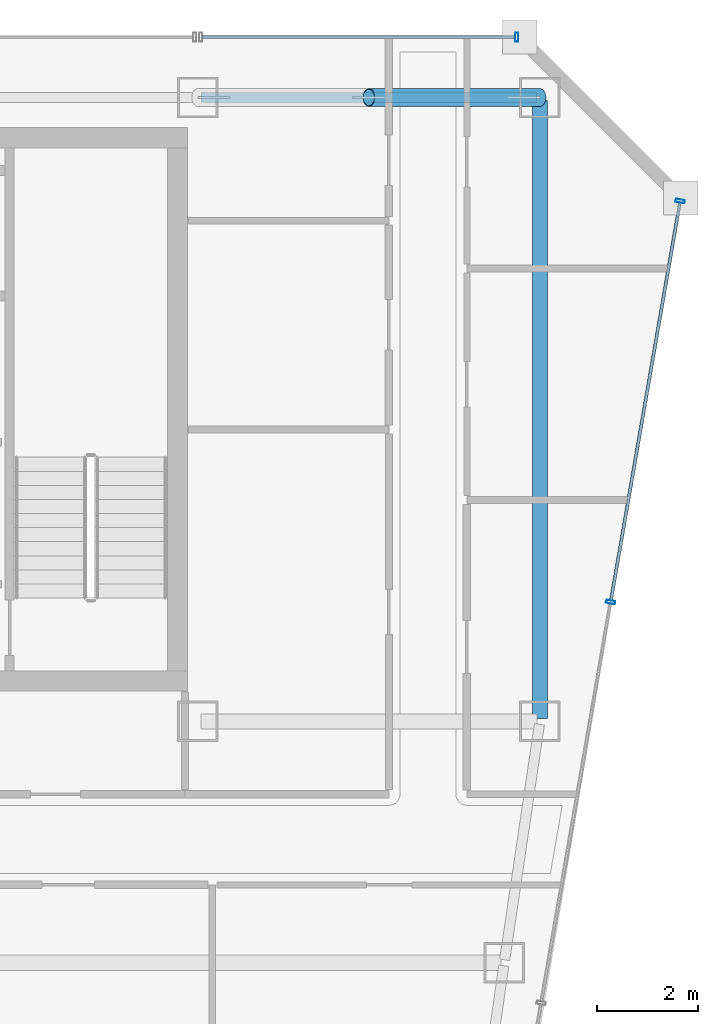
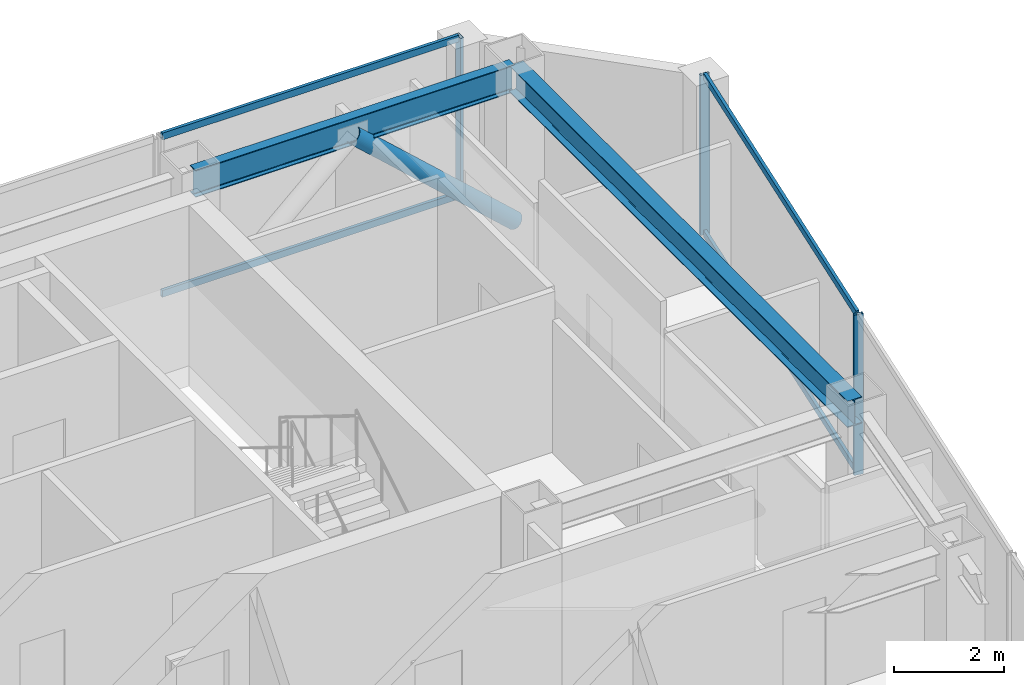
# One storey, part 21 of 31: 8 members, 2 beams, 2 elements without a shape of their own.
"""IFC4 building model written with IfcOpenShell, lengths in metres."""

from ifc_helpers import new_model, si_unit, direction, frame, origin, origin_2d, place, context, subcontext, project, spatial, hollow_rectangle, hollow_circle, i_section, extrude, material, material_profile, profile_set, type_object, element, aggregate, save


model = new_model("IFC4")

# Units and contexts
model_context = context("Model", 3, precision=1e-05, world=origin(), true_north=direction((0.0, 1.0)))
body_context = subcontext(model_context, "Body", "Model", "MODEL_VIEW")
ifc_project = project(units=[si_unit("LENGTHUNIT", "METRE"), si_unit("AREAUNIT", "SQUARE_METRE"), si_unit("VOLUMEUNIT", "CUBIC_METRE"), si_unit("PLANEANGLEUNIT", "RADIAN"), si_unit("MASSUNIT", "GRAM", prefix="KILO")], contexts=[model_context])

# Site, building, storey
site_placement = place(None, origin())
site = spatial("IfcSite", under=ifc_project, at=site_placement, CompositionType="ELEMENT")
building_placement = place(site_placement, origin())
building = spatial("IfcBuilding", under=site, at=building_placement, Name="Saevonmaru Cultural Tower", CompositionType="ELEMENT")
storey_placement = place(building_placement, frame((0.0, 0.0, 230.60009765625)))
storey = spatial("IfcBuildingStorey", under=building, at=storey_placement, Name="L53", CompositionType="ELEMENT", Elevation=230.60009765625)

# Beams
ifc_material_1 = material(Name="Steel SM355", Category="steel")
ifc_material_profile_1 = material_profile(ifc_material_1, i_section(OverallWidth=0.300048828125, OverallDepth=0.587890625, WebThickness=0.011962890625, FlangeThickness=0.02001953125, FilletRadius=0.02392578125, at=origin_2d()), Name="H-588x300x12x20")
ifc_profile_set_1 = profile_set([ifc_material_profile_1], Name="Steel SM355")
beam_type_1 = type_object("IfcBeamType", Name="BM-G-H588", PredefinedType="BEAM", material=ifc_profile_set_1)
beam_1_placement = place(storey_placement, frame((53.199951171875, 54.739990234375, 3.255859375), z_axis=(0.0, -1.0, 0.0), x_axis=(1.0, 0.0, 0.0)))
element("IfcBeam", 1, at=beam_1_placement, inside=storey, type_object=beam_type_1, Name="L53 Spine Transverse Girder E", PredefinedType="BEAM", context=body_context, shape_type="SweptSolid", body=[
    extrude(i_section(OverallWidth=0.300048828125, OverallDepth=0.587890625, WebThickness=0.011962890625, FlangeThickness=0.02001953125, FilletRadius=0.02392578125, at=origin_2d()), origin(), (0.0, 0.0, 1.0), 12.280029296875),
])
ifc_material_profile_2 = material_profile(ifc_material_1, i_section(OverallWidth=0.199951171875, OverallDepth=0.60009765625, WebThickness=0.010986328125, FlangeThickness=0.01708984375, FilletRadius=0.02197265625, at=origin_2d()), Name="H-600x200x11x17")
ifc_profile_set_2 = profile_set([ifc_material_profile_2], Name="Steel SM355")
beam_type_2 = type_object("IfcBeamType", Name="BM-SP-H600", PredefinedType="SPANDREL", material=ifc_profile_set_2)
beam_2_placement = place(storey_placement, frame((46.4599609375, 54.800048828125, 3.25), z_axis=(1.0, 0.0, 0.0), x_axis=(0.0, 1.0, 0.0)))
element("IfcBeam", 2, at=beam_2_placement, inside=storey, type_object=beam_type_2, Name="L53 North Spine Girder 5", PredefinedType="SPANDREL", context=body_context, shape_type="SweptSolid", body=[
    extrude(i_section(OverallWidth=0.199951171875, OverallDepth=0.60009765625, WebThickness=0.010986328125, FlangeThickness=0.01708984375, FilletRadius=0.02197265625, at=origin_2d()), origin(), (0.0, 0.0, 1.0), 6.679931640625),
])

# Member
ifc_material_profile_3 = material_profile(ifc_material_1, hollow_circle(Radius=0.177734375, WallThickness=0.01611328125, at=origin_2d()), Name="CHS-355.6x16")
ifc_profile_set_3 = profile_set([ifc_material_profile_3], Name="Steel SM355")
member_type_1 = type_object("IfcMemberType", Name="MB-PBR-CHS356", PredefinedType="BRACE", material=ifc_profile_set_3)
member_1_placement = place(storey_placement, frame((53.199951171875, 54.800048828125, 0.02001953125), z_axis=(-0.738962060105, 0.0, 0.673747039864), x_axis=(0.0, -1.0, 0.0)))
element("IfcMember", 3, at=member_1_placement, inside=storey, type_object=member_type_1, Name="L53 Perimeter Braced-Tube Diagonal EN2", PredefinedType="BRACE", context=body_context, shape_type="SweptSolid", body=[
    extrude(hollow_circle(Radius=0.177734375, WallThickness=0.01611328125, at=origin_2d()), origin(), (0.0, 0.0, 1.0), 4.600830078125),
])

# Curtain wall, members
ifc_material_2 = material(Name="Satin Bronze Anodised Aluminium", Category="aluminium")
curtain_wall_type = type_object("IfcCurtainWallType", Name="CW-SKY-GLZ", PredefinedType="NOTDEFINED", material=ifc_material_2)
curtain_wall_1_placement = place(storey_placement, origin())
curtain_wall_1 = element("IfcCurtainWall", 4, at=curtain_wall_1_placement, inside=storey, type_object=curtain_wall_type, Name="L53 Unitised Curtain Wall E8", PredefinedType="NOTDEFINED")
ifc_material_profile_4 = material_profile(ifc_material_2, hollow_rectangle(XDim=0.06494140625, YDim=0.179931640625, WallThickness=0.00390625, at=origin_2d()), Name="ALU-MULL-180x65x4")
ifc_profile_set_4 = profile_set([ifc_material_profile_4], Name="Satin Bronze Anodised Aluminium")
member_type_2 = type_object("IfcMemberType", Name="ML-CW-180x65", PredefinedType="MULLION", material=ifc_profile_set_4)
member_2_placement = place(storey_placement, frame((54.608154296875, 44.7705078125, 0.0), z_axis=(0.0, 0.0, 1.0), x_axis=(0.170790369887, 0.985307388359, 0.0)))
member_2 = element("IfcMember", 5, at=member_2_placement, type_object=member_type_2, Name="CW-TW-L53-E8 mullion 4", PredefinedType="MULLION", context=body_context, shape_type="SweptSolid", body=[
    extrude(hollow_rectangle(XDim=0.06494140625, YDim=0.179931640625, WallThickness=0.00390625, at=origin_2d()), origin(), (0.0, 0.0, 1.0), 3.5498046875),
])
member_3_placement = place(storey_placement, frame((55.98974609375, 52.740966796875, 0.0), z_axis=(0.0, 0.0, 1.0), x_axis=(0.170790369887, 0.985307388359, 0.0)))
member_3 = element("IfcMember", 6, at=member_3_placement, type_object=member_type_2, Name="CW-TW-L53-E8 mullion 5", PredefinedType="MULLION", context=body_context, shape_type="SweptSolid", body=[
    extrude(hollow_rectangle(XDim=0.06494140625, YDim=0.179931640625, WallThickness=0.00390625, at=origin_2d()), origin(), (0.0, 0.0, 1.0), 3.5498046875),
])

# Curtain wall, member
curtain_wall_2_placement = place(storey_placement, origin())
curtain_wall_2 = element("IfcCurtainWall", 7, at=curtain_wall_2_placement, inside=storey, type_object=curtain_wall_type, Name="L53 East Braced Bay Spandrel Curtain Wall E10A", PredefinedType="NOTDEFINED")
member_4_placement = place(storey_placement, frame((52.739990234375, 56.0, 0.0), z_axis=(0.0, 0.0, 1.0), x_axis=(-1.0, 0.0, 0.0)))
member_4 = element("IfcMember", 8, at=member_4_placement, type_object=member_type_2, Name="CW-TW-L53-E10A mullion 1", PredefinedType="MULLION", context=body_context, shape_type="SweptSolid", body=[
    extrude(hollow_rectangle(XDim=0.06494140625, YDim=0.179931640625, WallThickness=0.00390625, at=origin_2d()), origin(), (0.0, 0.0, 1.0), 3.5498046875),
])

# Member
ifc_material_profile_5 = material_profile(ifc_material_2, hollow_rectangle(XDim=0.06494140625, YDim=0.14990234375, WallThickness=0.00390625, at=origin_2d()), Name="ALU-TRAN-150x65x4")
ifc_profile_set_5 = profile_set([ifc_material_profile_5], Name="Satin Bronze Anodised Aluminium")
member_type_3 = type_object("IfcMemberType", Name="TR-CW-150x65", PredefinedType="USERDEFINED", material=ifc_profile_set_5)
member_5_placement = place(storey_placement, frame((54.61376953125, 44.802490234375, 0.032470703125), z_axis=(0.170774908542, 0.985310068259, 0.0), x_axis=(-0.985310068259, 0.170774908542, 0.0)))
member_5 = element("IfcMember", 9, at=member_5_placement, type_object=member_type_3, Name="CW-TW-L53-E8 transom 4.1", ObjectType="TRANSOM", PredefinedType="USERDEFINED", context=body_context, shape_type="SweptSolid", body=[
    extrude(hollow_rectangle(XDim=0.06494140625, YDim=0.14990234375, WallThickness=0.00390625, at=origin_2d()), origin(), (0.0, 0.0, 1.0), 8.0244140625),
])

member_6_placement = place(storey_placement, frame((54.61376953125, 44.802490234375, 3.517333984375), z_axis=(0.170774908542, 0.985310068259, 0.0), x_axis=(-0.985310068259, 0.170774908542, 0.0)))
member_6 = element("IfcMember", 10, at=member_6_placement, type_object=member_type_3, Name="CW-TW-L53-E8 transom 4.2", ObjectType="TRANSOM", PredefinedType="USERDEFINED", context=body_context, shape_type="SweptSolid", body=[
    extrude(hollow_rectangle(XDim=0.06494140625, YDim=0.14990234375, WallThickness=0.00390625, at=origin_2d()), origin(), (0.0, 0.0, 1.0), 8.0244140625),
])

aggregate(curtain_wall_1, [member_2, member_3, member_5, member_6])

member_7_placement = place(storey_placement, frame((52.70751953125, 56.0, 0.032470703125), z_axis=(-1.0, 0.0, 0.0), x_axis=(0.0, -1.0, 0.0)))
member_7 = element("IfcMember", 11, at=member_7_placement, type_object=member_type_3, Name="CW-TW-L53-E10A transom 1.1", ObjectType="TRANSOM", PredefinedType="USERDEFINED", context=body_context, shape_type="SweptSolid", body=[
    extrude(hollow_rectangle(XDim=0.06494140625, YDim=0.14990234375, WallThickness=0.00390625, at=origin_2d()), origin(), (0.0, 0.0, 1.0), 6.215087890625),
])

member_8_placement = place(storey_placement, frame((52.70751953125, 56.0, 3.517333984375), z_axis=(-1.0, 0.0, 0.0), x_axis=(0.0, -1.0, 0.0)))
member_8 = element("IfcMember", 12, at=member_8_placement, type_object=member_type_3, Name="CW-TW-L53-E10A transom 1.2", ObjectType="TRANSOM", PredefinedType="USERDEFINED", context=body_context, shape_type="SweptSolid", body=[
    extrude(hollow_rectangle(XDim=0.06494140625, YDim=0.14990234375, WallThickness=0.00390625, at=origin_2d()), origin(), (0.0, 0.0, 1.0), 6.215087890625),
])

aggregate(curtain_wall_2, [member_4, member_7, member_8])

save(model, "model.ifc")
